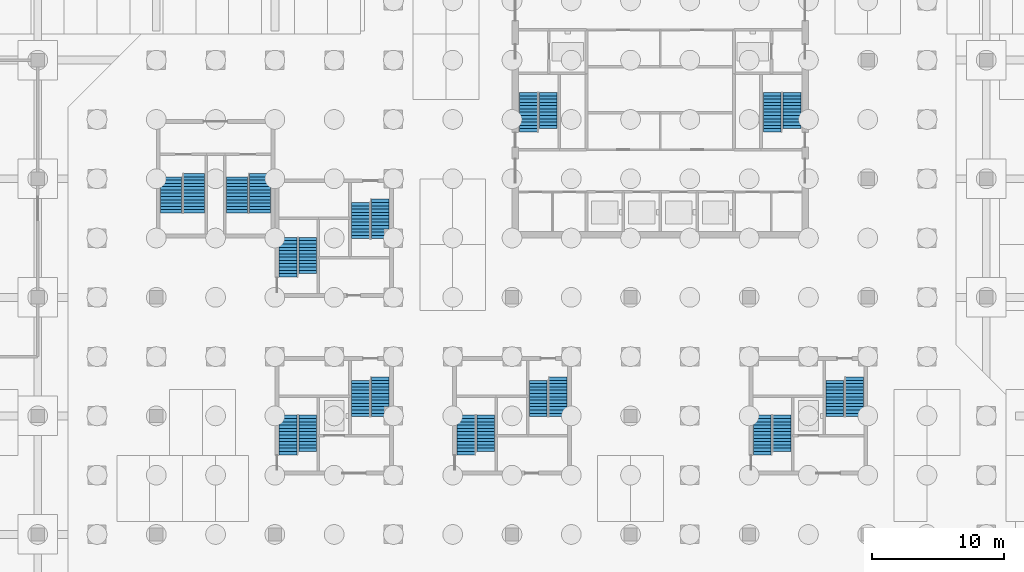
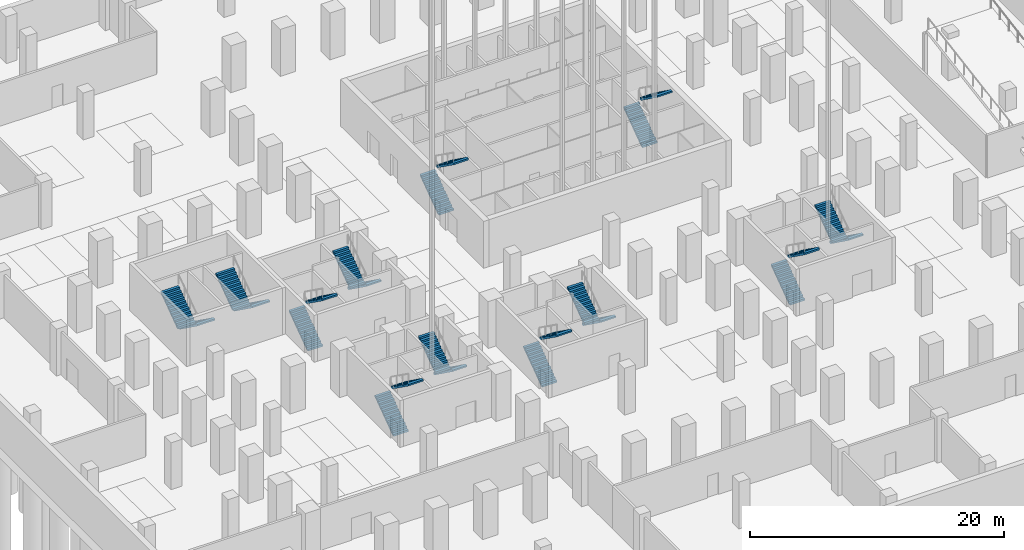
# One storey, part 21 of 37: 24 stair flights, 12 elements without a shape of their own.
"""IFC4 building model written with IfcOpenShell, lengths in metres."""

from ifc_helpers import new_model, si_unit, direction, frame, origin, place, context, subcontext, project, spatial, polyline, outline, extrude, material, type_object, element, aggregate, save


model = new_model("IFC4")

# Units and contexts
model_context = context("Model", 3, precision=1e-05, world=origin(), true_north=direction((0.0, 1.0)))
body_context = subcontext(model_context, "Body", "Model", "MODEL_VIEW")
ifc_project = project(units=[si_unit("LENGTHUNIT", "METRE"), si_unit("AREAUNIT", "SQUARE_METRE"), si_unit("VOLUMEUNIT", "CUBIC_METRE"), si_unit("PLANEANGLEUNIT", "RADIAN"), si_unit("MASSUNIT", "GRAM", prefix="KILO")], contexts=[model_context])

# Site, building, storey
site_placement = place(None, origin())
site = spatial("IfcSite", under=ifc_project, at=site_placement, CompositionType="ELEMENT")
building_placement = place(site_placement, origin())
building = spatial("IfcBuilding", under=site, at=building_placement, Name="Quoin Convention Tower", CompositionType="ELEMENT")
storey_placement = place(building_placement, frame((0.0, 0.0, -9.0)))
storey = spatial("IfcBuildingStorey", under=building, at=storey_placement, Name="B2", CompositionType="ELEMENT", Elevation=-9.0)

# Stair, stair flights
ifc_material = material(Name="Concrete C40", Category="concrete")
stair_type_1 = type_object("IfcStairType", Name="Exit stair two-flight 1350", PredefinedType="HALF_TURN_STAIR", material=ifc_material)
stair_1_placement = place(storey_placement, origin())
stair_1 = element("IfcStair", 1, at=stair_1_placement, inside=storey, type_object=stair_type_1, Name="SD1 B2", PredefinedType="HALF_TURN_STAIR")
stair_flight_type_1 = type_object("IfcStairFlightType", Name="Stair flight 1350", PredefinedType="STRAIGHT", material=ifc_material)
stair_flight_1_placement = place(storey_placement, frame((46.25, 57.550048828125, 0.0), z_axis=(0.0, 0.0, 1.0), x_axis=(0.0, 1.0, 0.0)))
stair_flight_1 = element("IfcStairFlight", 2, at=stair_flight_1_placement, type_object=stair_flight_type_1, Name="ST1 flight 1", NumberOfRisers=13, NumberOfTreads=12, PredefinedType="STRAIGHT", RiserHeight=0.18, TreadLength=0.25, context=body_context, shape_type="SweptSolid", body=[
    extrude(outline(polyline([(0.0, 0.0), (0.0, 0.179931640625), (0.25, 0.179931640625), (0.25, 0.360107421875), (0.5, 0.360107421875), (0.5, 0.5400390625), (0.75, 0.5400390625), (0.75, 0.719970703125), (1.0, 0.719970703125), (1.0, 0.89990234375), (1.25, 0.89990234375), (1.25, 1.080078125), (1.5, 1.080078125), (1.5, 1.260009765625), (1.75, 1.260009765625), (1.75, 1.43994140625), (2.0, 1.43994140625), (2.0, 1.6201171875), (2.25, 1.6201171875), (2.25, 1.800048828125), (2.5, 1.800048828125), (2.5, 1.97998046875), (2.75, 1.97998046875), (2.75, 2.159912109375), (3.0, 2.159912109375), (3.0, 2.340087890625), (3.0, 2.011962890625), (0.20556640625, 0.0), (0.0, 0.0)])), frame((0.0, 0.675048828125, 0.0), z_axis=(0.0, -1.0, 0.0), x_axis=(1.0, 0.0, 0.0)), (0.0, 0.0, 1.0), 1.35009765625),
])
stair_flight_2_placement = place(storey_placement, frame((47.75, 60.550048828125, 2.340087890625), z_axis=(0.0, 0.0, 1.0), x_axis=(0.0, -1.0, 0.0)))
stair_flight_2 = element("IfcStairFlight", 3, at=stair_flight_2_placement, type_object=stair_flight_type_1, Name="ST1 flight 2", NumberOfRisers=12, NumberOfTreads=11, PredefinedType="STRAIGHT", RiserHeight=0.18, TreadLength=0.25, context=body_context, shape_type="SweptSolid", body=[
    extrude(outline(polyline([(0.0, 0.0), (0.0, 0.179931640625), (0.25, 0.179931640625), (0.25, 0.360107421875), (0.5, 0.360107421875), (0.5, 0.5400390625), (0.75, 0.5400390625), (0.75, 0.719970703125), (1.0, 0.719970703125), (1.0, 0.89990234375), (1.25, 0.89990234375), (1.25, 1.080078125), (1.5, 1.080078125), (1.5, 1.260009765625), (1.75, 1.260009765625), (1.75, 1.43994140625), (2.0, 1.43994140625), (2.0, 1.6201171875), (2.25, 1.6201171875), (2.25, 1.800048828125), (2.5, 1.800048828125), (2.5, 1.97998046875), (2.75, 1.97998046875), (2.75, 2.159912109375), (2.75, 1.83203125), (0.20556640625, 0.0), (0.0, 0.0)])), frame((0.0, 0.675048828125, 0.0), z_axis=(0.0, -1.0, 0.0), x_axis=(1.0, 0.0, 0.0)), (0.0, 0.0, 1.0), 1.35009765625),
])
aggregate(stair_1, [stair_flight_1, stair_flight_2])

stair_2_placement = place(storey_placement, origin())
stair_2 = element("IfcStair", 4, at=stair_2_placement, inside=storey, type_object=stair_type_1, Name="SD2 B2", PredefinedType="HALF_TURN_STAIR")
stair_flight_3_placement = place(storey_placement, frame((64.75, 57.550048828125, 0.0), z_axis=(0.0, 0.0, 1.0), x_axis=(0.0, 1.0, 0.0)))
stair_flight_3 = element("IfcStairFlight", 5, at=stair_flight_3_placement, type_object=stair_flight_type_1, Name="ST2 flight 1", NumberOfRisers=13, NumberOfTreads=12, PredefinedType="STRAIGHT", RiserHeight=0.18, TreadLength=0.25, context=body_context, shape_type="SweptSolid", body=[
    extrude(outline(polyline([(0.0, 0.0), (0.0, 0.179931640625), (0.25, 0.179931640625), (0.25, 0.360107421875), (0.5, 0.360107421875), (0.5, 0.5400390625), (0.75, 0.5400390625), (0.75, 0.719970703125), (1.0, 0.719970703125), (1.0, 0.89990234375), (1.25, 0.89990234375), (1.25, 1.080078125), (1.5, 1.080078125), (1.5, 1.260009765625), (1.75, 1.260009765625), (1.75, 1.43994140625), (2.0, 1.43994140625), (2.0, 1.6201171875), (2.25, 1.6201171875), (2.25, 1.800048828125), (2.5, 1.800048828125), (2.5, 1.97998046875), (2.75, 1.97998046875), (2.75, 2.159912109375), (3.0, 2.159912109375), (3.0, 2.340087890625), (3.0, 2.011962890625), (0.20556640625, 0.0), (0.0, 0.0)])), frame((0.0, 0.675048828125, 0.0), z_axis=(0.0, -1.0, 0.0), x_axis=(1.0, 0.0, 0.0)), (0.0, 0.0, 1.0), 1.35009765625),
])
stair_flight_4_placement = place(storey_placement, frame((66.25, 60.550048828125, 2.340087890625), z_axis=(0.0, 0.0, 1.0), x_axis=(0.0, -1.0, 0.0)))
stair_flight_4 = element("IfcStairFlight", 6, at=stair_flight_4_placement, type_object=stair_flight_type_1, Name="ST2 flight 2", NumberOfRisers=12, NumberOfTreads=11, PredefinedType="STRAIGHT", RiserHeight=0.18, TreadLength=0.25, context=body_context, shape_type="SweptSolid", body=[
    extrude(outline(polyline([(0.0, 0.0), (0.0, 0.179931640625), (0.25, 0.179931640625), (0.25, 0.360107421875), (0.5, 0.360107421875), (0.5, 0.5400390625), (0.75, 0.5400390625), (0.75, 0.719970703125), (1.0, 0.719970703125), (1.0, 0.89990234375), (1.25, 0.89990234375), (1.25, 1.080078125), (1.5, 1.080078125), (1.5, 1.260009765625), (1.75, 1.260009765625), (1.75, 1.43994140625), (2.0, 1.43994140625), (2.0, 1.6201171875), (2.25, 1.6201171875), (2.25, 1.800048828125), (2.5, 1.800048828125), (2.5, 1.97998046875), (2.75, 1.97998046875), (2.75, 2.159912109375), (2.75, 1.83203125), (0.20556640625, 0.0), (0.0, 0.0)])), frame((0.0, 0.675048828125, 0.0), z_axis=(0.0, -1.0, 0.0), x_axis=(1.0, 0.0, 0.0)), (0.0, 0.0, 1.0), 1.35009765625),
])
aggregate(stair_2, [stair_flight_3, stair_flight_4])

stair_3_placement = place(storey_placement, origin())
stair_3 = element("IfcStair", 7, at=stair_3_placement, inside=storey, type_object=stair_type_1, Name="SD3 B2", PredefinedType="HALF_TURN_STAIR")
stair_flight_5_placement = place(storey_placement, frame((28.0, 46.550048828125, 0.0), z_axis=(0.0, 0.0, 1.0), x_axis=(0.0, 1.0, 0.0)))
stair_flight_5 = element("IfcStairFlight", 8, at=stair_flight_5_placement, type_object=stair_flight_type_1, Name="ST3 flight 1", NumberOfRisers=13, NumberOfTreads=12, PredefinedType="STRAIGHT", RiserHeight=0.18, TreadLength=0.25, context=body_context, shape_type="SweptSolid", body=[
    extrude(outline(polyline([(0.0, 0.0), (0.0, 0.179931640625), (0.25, 0.179931640625), (0.25, 0.360107421875), (0.5, 0.360107421875), (0.5, 0.5400390625), (0.75, 0.5400390625), (0.75, 0.719970703125), (1.0, 0.719970703125), (1.0, 0.89990234375), (1.25, 0.89990234375), (1.25, 1.080078125), (1.5, 1.080078125), (1.5, 1.260009765625), (1.75, 1.260009765625), (1.75, 1.43994140625), (2.0, 1.43994140625), (2.0, 1.6201171875), (2.25, 1.6201171875), (2.25, 1.800048828125), (2.5, 1.800048828125), (2.5, 1.97998046875), (2.75, 1.97998046875), (2.75, 2.159912109375), (3.0, 2.159912109375), (3.0, 2.340087890625), (3.0, 2.011962890625), (0.20556640625, 0.0), (0.0, 0.0)])), frame((0.0, 0.675048828125, 0.0), z_axis=(0.0, -1.0, 0.0), x_axis=(1.0, 0.0, 0.0)), (0.0, 0.0, 1.0), 1.35009765625),
])
stair_flight_6_placement = place(storey_placement, frame((29.5, 49.550048828125, 2.340087890625), z_axis=(0.0, 0.0, 1.0), x_axis=(0.0, -1.0, 0.0)))
stair_flight_6 = element("IfcStairFlight", 9, at=stair_flight_6_placement, type_object=stair_flight_type_1, Name="ST3 flight 2", NumberOfRisers=12, NumberOfTreads=11, PredefinedType="STRAIGHT", RiserHeight=0.18, TreadLength=0.25, context=body_context, shape_type="SweptSolid", body=[
    extrude(outline(polyline([(0.0, 0.0), (0.0, 0.179931640625), (0.25, 0.179931640625), (0.25, 0.360107421875), (0.5, 0.360107421875), (0.5, 0.5400390625), (0.75, 0.5400390625), (0.75, 0.719970703125), (1.0, 0.719970703125), (1.0, 0.89990234375), (1.25, 0.89990234375), (1.25, 1.080078125), (1.5, 1.080078125), (1.5, 1.260009765625), (1.75, 1.260009765625), (1.75, 1.43994140625), (2.0, 1.43994140625), (2.0, 1.6201171875), (2.25, 1.6201171875), (2.25, 1.800048828125), (2.5, 1.800048828125), (2.5, 1.97998046875), (2.75, 1.97998046875), (2.75, 2.159912109375), (2.75, 1.83203125), (0.20556640625, 0.0), (0.0, 0.0)])), frame((0.0, 0.675048828125, 0.0), z_axis=(0.0, -1.0, 0.0), x_axis=(1.0, 0.0, 0.0)), (0.0, 0.0, 1.0), 1.35009765625),
])
aggregate(stair_3, [stair_flight_5, stair_flight_6])

stair_4_placement = place(storey_placement, origin())
stair_4 = element("IfcStair", 10, at=stair_4_placement, inside=storey, type_object=stair_type_1, Name="SD4 B2", PredefinedType="HALF_TURN_STAIR")
stair_flight_7_placement = place(storey_placement, frame((35.0, 52.449951171875, 0.0), z_axis=(0.0, 0.0, 1.0), x_axis=(0.0, -1.0, 0.0)))
stair_flight_7 = element("IfcStairFlight", 11, at=stair_flight_7_placement, type_object=stair_flight_type_1, Name="ST4 flight 1", NumberOfRisers=13, NumberOfTreads=12, PredefinedType="STRAIGHT", RiserHeight=0.18, TreadLength=0.25, context=body_context, shape_type="SweptSolid", body=[
    extrude(outline(polyline([(0.0, 0.0), (0.0, 0.179931640625), (0.25, 0.179931640625), (0.25, 0.360107421875), (0.5, 0.360107421875), (0.5, 0.5400390625), (0.75, 0.5400390625), (0.75, 0.719970703125), (1.0, 0.719970703125), (1.0, 0.89990234375), (1.25, 0.89990234375), (1.25, 1.080078125), (1.5, 1.080078125), (1.5, 1.260009765625), (1.75, 1.260009765625), (1.75, 1.43994140625), (2.0, 1.43994140625), (2.0, 1.6201171875), (2.25, 1.6201171875), (2.25, 1.800048828125), (2.5, 1.800048828125), (2.5, 1.97998046875), (2.75, 1.97998046875), (2.75, 2.159912109375), (3.0, 2.159912109375), (3.0, 2.340087890625), (3.0, 2.011962890625), (0.20556640625, 0.0), (0.0, 0.0)])), frame((0.0, 0.675048828125, 0.0), z_axis=(0.0, -1.0, 0.0), x_axis=(1.0, 0.0, 0.0)), (0.0, 0.0, 1.0), 1.35009765625),
])
stair_flight_8_placement = place(storey_placement, frame((33.5, 49.449951171875, 2.340087890625), z_axis=(0.0, 0.0, 1.0), x_axis=(0.0, 1.0, 0.0)))
stair_flight_8 = element("IfcStairFlight", 12, at=stair_flight_8_placement, type_object=stair_flight_type_1, Name="ST4 flight 2", NumberOfRisers=12, NumberOfTreads=11, PredefinedType="STRAIGHT", RiserHeight=0.18, TreadLength=0.25, context=body_context, shape_type="SweptSolid", body=[
    extrude(outline(polyline([(0.0, 0.0), (0.0, 0.179931640625), (0.25, 0.179931640625), (0.25, 0.360107421875), (0.5, 0.360107421875), (0.5, 0.5400390625), (0.75, 0.5400390625), (0.75, 0.719970703125), (1.0, 0.719970703125), (1.0, 0.89990234375), (1.25, 0.89990234375), (1.25, 1.080078125), (1.5, 1.080078125), (1.5, 1.260009765625), (1.75, 1.260009765625), (1.75, 1.43994140625), (2.0, 1.43994140625), (2.0, 1.6201171875), (2.25, 1.6201171875), (2.25, 1.800048828125), (2.5, 1.800048828125), (2.5, 1.97998046875), (2.75, 1.97998046875), (2.75, 2.159912109375), (2.75, 1.83203125), (0.20556640625, 0.0), (0.0, 0.0)])), frame((0.0, 0.675048828125, 0.0), z_axis=(0.0, -1.0, 0.0), x_axis=(1.0, 0.0, 0.0)), (0.0, 0.0, 1.0), 1.35009765625),
])
aggregate(stair_4, [stair_flight_7, stair_flight_8])

stair_5_placement = place(storey_placement, origin())
stair_5 = element("IfcStair", 13, at=stair_5_placement, inside=storey, type_object=stair_type_1, Name="SD5 B2", PredefinedType="HALF_TURN_STAIR")
stair_flight_9_placement = place(storey_placement, frame((41.5, 33.050048828125, 0.0), z_axis=(0.0, 0.0, 1.0), x_axis=(0.0, 1.0, 0.0)))
stair_flight_9 = element("IfcStairFlight", 14, at=stair_flight_9_placement, type_object=stair_flight_type_1, Name="ST5 flight 1", NumberOfRisers=13, NumberOfTreads=12, PredefinedType="STRAIGHT", RiserHeight=0.18, TreadLength=0.25, context=body_context, shape_type="SweptSolid", body=[
    extrude(outline(polyline([(0.0, 0.0), (0.0, 0.179931640625), (0.25, 0.179931640625), (0.25, 0.360107421875), (0.5, 0.360107421875), (0.5, 0.5400390625), (0.75, 0.5400390625), (0.75, 0.719970703125), (1.0, 0.719970703125), (1.0, 0.89990234375), (1.25, 0.89990234375), (1.25, 1.080078125), (1.5, 1.080078125), (1.5, 1.260009765625), (1.75, 1.260009765625), (1.75, 1.43994140625), (2.0, 1.43994140625), (2.0, 1.6201171875), (2.25, 1.6201171875), (2.25, 1.800048828125), (2.5, 1.800048828125), (2.5, 1.97998046875), (2.75, 1.97998046875), (2.75, 2.159912109375), (3.0, 2.159912109375), (3.0, 2.340087890625), (3.0, 2.011962890625), (0.20556640625, 0.0), (0.0, 0.0)])), frame((0.0, 0.675048828125, 0.0), z_axis=(0.0, -1.0, 0.0), x_axis=(1.0, 0.0, 0.0)), (0.0, 0.0, 1.0), 1.35009765625),
])
stair_flight_10_placement = place(storey_placement, frame((43.0, 36.050048828125, 2.340087890625), z_axis=(0.0, 0.0, 1.0), x_axis=(0.0, -1.0, 0.0)))
stair_flight_10 = element("IfcStairFlight", 15, at=stair_flight_10_placement, type_object=stair_flight_type_1, Name="ST5 flight 2", NumberOfRisers=12, NumberOfTreads=11, PredefinedType="STRAIGHT", RiserHeight=0.18, TreadLength=0.25, context=body_context, shape_type="SweptSolid", body=[
    extrude(outline(polyline([(0.0, 0.0), (0.0, 0.179931640625), (0.25, 0.179931640625), (0.25, 0.360107421875), (0.5, 0.360107421875), (0.5, 0.5400390625), (0.75, 0.5400390625), (0.75, 0.719970703125), (1.0, 0.719970703125), (1.0, 0.89990234375), (1.25, 0.89990234375), (1.25, 1.080078125), (1.5, 1.080078125), (1.5, 1.260009765625), (1.75, 1.260009765625), (1.75, 1.43994140625), (2.0, 1.43994140625), (2.0, 1.6201171875), (2.25, 1.6201171875), (2.25, 1.800048828125), (2.5, 1.800048828125), (2.5, 1.97998046875), (2.75, 1.97998046875), (2.75, 2.159912109375), (2.75, 1.83203125), (0.20556640625, 0.0), (0.0, 0.0)])), frame((0.0, 0.675048828125, 0.0), z_axis=(0.0, -1.0, 0.0), x_axis=(1.0, 0.0, 0.0)), (0.0, 0.0, 1.0), 1.35009765625),
])
aggregate(stair_5, [stair_flight_9, stair_flight_10])

stair_6_placement = place(storey_placement, origin())
stair_6 = element("IfcStair", 16, at=stair_6_placement, inside=storey, type_object=stair_type_1, Name="SD6 B2", PredefinedType="HALF_TURN_STAIR")
stair_flight_11_placement = place(storey_placement, frame((48.5, 38.949951171875, 0.0), z_axis=(0.0, 0.0, 1.0), x_axis=(0.0, -1.0, 0.0)))
stair_flight_11 = element("IfcStairFlight", 17, at=stair_flight_11_placement, type_object=stair_flight_type_1, Name="ST6 flight 1", NumberOfRisers=13, NumberOfTreads=12, PredefinedType="STRAIGHT", RiserHeight=0.18, TreadLength=0.25, context=body_context, shape_type="SweptSolid", body=[
    extrude(outline(polyline([(0.0, 0.0), (0.0, 0.179931640625), (0.25, 0.179931640625), (0.25, 0.360107421875), (0.5, 0.360107421875), (0.5, 0.5400390625), (0.75, 0.5400390625), (0.75, 0.719970703125), (1.0, 0.719970703125), (1.0, 0.89990234375), (1.25, 0.89990234375), (1.25, 1.080078125), (1.5, 1.080078125), (1.5, 1.260009765625), (1.75, 1.260009765625), (1.75, 1.43994140625), (2.0, 1.43994140625), (2.0, 1.6201171875), (2.25, 1.6201171875), (2.25, 1.800048828125), (2.5, 1.800048828125), (2.5, 1.97998046875), (2.75, 1.97998046875), (2.75, 2.159912109375), (3.0, 2.159912109375), (3.0, 2.340087890625), (3.0, 2.011962890625), (0.20556640625, 0.0), (0.0, 0.0)])), frame((0.0, 0.675048828125, 0.0), z_axis=(0.0, -1.0, 0.0), x_axis=(1.0, 0.0, 0.0)), (0.0, 0.0, 1.0), 1.35009765625),
])
stair_flight_12_placement = place(storey_placement, frame((47.0, 35.949951171875, 2.340087890625), z_axis=(0.0, 0.0, 1.0), x_axis=(0.0, 1.0, 0.0)))
stair_flight_12 = element("IfcStairFlight", 18, at=stair_flight_12_placement, type_object=stair_flight_type_1, Name="ST6 flight 2", NumberOfRisers=12, NumberOfTreads=11, PredefinedType="STRAIGHT", RiserHeight=0.18, TreadLength=0.25, context=body_context, shape_type="SweptSolid", body=[
    extrude(outline(polyline([(0.0, 0.0), (0.0, 0.179931640625), (0.25, 0.179931640625), (0.25, 0.360107421875), (0.5, 0.360107421875), (0.5, 0.5400390625), (0.75, 0.5400390625), (0.75, 0.719970703125), (1.0, 0.719970703125), (1.0, 0.89990234375), (1.25, 0.89990234375), (1.25, 1.080078125), (1.5, 1.080078125), (1.5, 1.260009765625), (1.75, 1.260009765625), (1.75, 1.43994140625), (2.0, 1.43994140625), (2.0, 1.6201171875), (2.25, 1.6201171875), (2.25, 1.800048828125), (2.5, 1.800048828125), (2.5, 1.97998046875), (2.75, 1.97998046875), (2.75, 2.159912109375), (2.75, 1.83203125), (0.20556640625, 0.0), (0.0, 0.0)])), frame((0.0, 0.675048828125, 0.0), z_axis=(0.0, -1.0, 0.0), x_axis=(1.0, 0.0, 0.0)), (0.0, 0.0, 1.0), 1.35009765625),
])
aggregate(stair_6, [stair_flight_11, stair_flight_12])

stair_7_placement = place(storey_placement, origin())
stair_7 = element("IfcStair", 19, at=stair_7_placement, inside=storey, type_object=stair_type_1, Name="SD7 B2", PredefinedType="HALF_TURN_STAIR")
stair_flight_13_placement = place(storey_placement, frame((28.0, 33.050048828125, 0.0), z_axis=(0.0, 0.0, 1.0), x_axis=(0.0, 1.0, 0.0)))
stair_flight_13 = element("IfcStairFlight", 20, at=stair_flight_13_placement, type_object=stair_flight_type_1, Name="ST7 flight 1", NumberOfRisers=13, NumberOfTreads=12, PredefinedType="STRAIGHT", RiserHeight=0.18, TreadLength=0.25, context=body_context, shape_type="SweptSolid", body=[
    extrude(outline(polyline([(0.0, 0.0), (0.0, 0.179931640625), (0.25, 0.179931640625), (0.25, 0.360107421875), (0.5, 0.360107421875), (0.5, 0.5400390625), (0.75, 0.5400390625), (0.75, 0.719970703125), (1.0, 0.719970703125), (1.0, 0.89990234375), (1.25, 0.89990234375), (1.25, 1.080078125), (1.5, 1.080078125), (1.5, 1.260009765625), (1.75, 1.260009765625), (1.75, 1.43994140625), (2.0, 1.43994140625), (2.0, 1.6201171875), (2.25, 1.6201171875), (2.25, 1.800048828125), (2.5, 1.800048828125), (2.5, 1.97998046875), (2.75, 1.97998046875), (2.75, 2.159912109375), (3.0, 2.159912109375), (3.0, 2.340087890625), (3.0, 2.011962890625), (0.20556640625, 0.0), (0.0, 0.0)])), frame((0.0, 0.675048828125, 0.0), z_axis=(0.0, -1.0, 0.0), x_axis=(1.0, 0.0, 0.0)), (0.0, 0.0, 1.0), 1.35009765625),
])
stair_flight_14_placement = place(storey_placement, frame((29.5, 36.050048828125, 2.340087890625), z_axis=(0.0, 0.0, 1.0), x_axis=(0.0, -1.0, 0.0)))
stair_flight_14 = element("IfcStairFlight", 21, at=stair_flight_14_placement, type_object=stair_flight_type_1, Name="ST7 flight 2", NumberOfRisers=12, NumberOfTreads=11, PredefinedType="STRAIGHT", RiserHeight=0.18, TreadLength=0.25, context=body_context, shape_type="SweptSolid", body=[
    extrude(outline(polyline([(0.0, 0.0), (0.0, 0.179931640625), (0.25, 0.179931640625), (0.25, 0.360107421875), (0.5, 0.360107421875), (0.5, 0.5400390625), (0.75, 0.5400390625), (0.75, 0.719970703125), (1.0, 0.719970703125), (1.0, 0.89990234375), (1.25, 0.89990234375), (1.25, 1.080078125), (1.5, 1.080078125), (1.5, 1.260009765625), (1.75, 1.260009765625), (1.75, 1.43994140625), (2.0, 1.43994140625), (2.0, 1.6201171875), (2.25, 1.6201171875), (2.25, 1.800048828125), (2.5, 1.800048828125), (2.5, 1.97998046875), (2.75, 1.97998046875), (2.75, 2.159912109375), (2.75, 1.83203125), (0.20556640625, 0.0), (0.0, 0.0)])), frame((0.0, 0.675048828125, 0.0), z_axis=(0.0, -1.0, 0.0), x_axis=(1.0, 0.0, 0.0)), (0.0, 0.0, 1.0), 1.35009765625),
])
aggregate(stair_7, [stair_flight_13, stair_flight_14])

stair_8_placement = place(storey_placement, origin())
stair_8 = element("IfcStair", 22, at=stair_8_placement, inside=storey, type_object=stair_type_1, Name="SD8 B2", PredefinedType="HALF_TURN_STAIR")
stair_flight_15_placement = place(storey_placement, frame((35.0, 38.949951171875, 0.0), z_axis=(0.0, 0.0, 1.0), x_axis=(0.0, -1.0, 0.0)))
stair_flight_15 = element("IfcStairFlight", 23, at=stair_flight_15_placement, type_object=stair_flight_type_1, Name="ST8 flight 1", NumberOfRisers=13, NumberOfTreads=12, PredefinedType="STRAIGHT", RiserHeight=0.18, TreadLength=0.25, context=body_context, shape_type="SweptSolid", body=[
    extrude(outline(polyline([(0.0, 0.0), (0.0, 0.179931640625), (0.25, 0.179931640625), (0.25, 0.360107421875), (0.5, 0.360107421875), (0.5, 0.5400390625), (0.75, 0.5400390625), (0.75, 0.719970703125), (1.0, 0.719970703125), (1.0, 0.89990234375), (1.25, 0.89990234375), (1.25, 1.080078125), (1.5, 1.080078125), (1.5, 1.260009765625), (1.75, 1.260009765625), (1.75, 1.43994140625), (2.0, 1.43994140625), (2.0, 1.6201171875), (2.25, 1.6201171875), (2.25, 1.800048828125), (2.5, 1.800048828125), (2.5, 1.97998046875), (2.75, 1.97998046875), (2.75, 2.159912109375), (3.0, 2.159912109375), (3.0, 2.340087890625), (3.0, 2.011962890625), (0.20556640625, 0.0), (0.0, 0.0)])), frame((0.0, 0.675048828125, 0.0), z_axis=(0.0, -1.0, 0.0), x_axis=(1.0, 0.0, 0.0)), (0.0, 0.0, 1.0), 1.35009765625),
])
stair_flight_16_placement = place(storey_placement, frame((33.5, 35.949951171875, 2.340087890625), z_axis=(0.0, 0.0, 1.0), x_axis=(0.0, 1.0, 0.0)))
stair_flight_16 = element("IfcStairFlight", 24, at=stair_flight_16_placement, type_object=stair_flight_type_1, Name="ST8 flight 2", NumberOfRisers=12, NumberOfTreads=11, PredefinedType="STRAIGHT", RiserHeight=0.18, TreadLength=0.25, context=body_context, shape_type="SweptSolid", body=[
    extrude(outline(polyline([(0.0, 0.0), (0.0, 0.179931640625), (0.25, 0.179931640625), (0.25, 0.360107421875), (0.5, 0.360107421875), (0.5, 0.5400390625), (0.75, 0.5400390625), (0.75, 0.719970703125), (1.0, 0.719970703125), (1.0, 0.89990234375), (1.25, 0.89990234375), (1.25, 1.080078125), (1.5, 1.080078125), (1.5, 1.260009765625), (1.75, 1.260009765625), (1.75, 1.43994140625), (2.0, 1.43994140625), (2.0, 1.6201171875), (2.25, 1.6201171875), (2.25, 1.800048828125), (2.5, 1.800048828125), (2.5, 1.97998046875), (2.75, 1.97998046875), (2.75, 2.159912109375), (2.75, 1.83203125), (0.20556640625, 0.0), (0.0, 0.0)])), frame((0.0, 0.675048828125, 0.0), z_axis=(0.0, -1.0, 0.0), x_axis=(1.0, 0.0, 0.0)), (0.0, 0.0, 1.0), 1.35009765625),
])
aggregate(stair_8, [stair_flight_15, stair_flight_16])

stair_9_placement = place(storey_placement, origin())
stair_9 = element("IfcStair", 25, at=stair_9_placement, inside=storey, type_object=stair_type_1, Name="SD9 B2", PredefinedType="HALF_TURN_STAIR")
stair_flight_17_placement = place(storey_placement, frame((64.0, 33.050048828125, 0.0), z_axis=(0.0, 0.0, 1.0), x_axis=(0.0, 1.0, 0.0)))
stair_flight_17 = element("IfcStairFlight", 26, at=stair_flight_17_placement, type_object=stair_flight_type_1, Name="ST9 flight 1", NumberOfRisers=13, NumberOfTreads=12, PredefinedType="STRAIGHT", RiserHeight=0.18, TreadLength=0.25, context=body_context, shape_type="SweptSolid", body=[
    extrude(outline(polyline([(0.0, 0.0), (0.0, 0.179931640625), (0.25, 0.179931640625), (0.25, 0.360107421875), (0.5, 0.360107421875), (0.5, 0.5400390625), (0.75, 0.5400390625), (0.75, 0.719970703125), (1.0, 0.719970703125), (1.0, 0.89990234375), (1.25, 0.89990234375), (1.25, 1.080078125), (1.5, 1.080078125), (1.5, 1.260009765625), (1.75, 1.260009765625), (1.75, 1.43994140625), (2.0, 1.43994140625), (2.0, 1.6201171875), (2.25, 1.6201171875), (2.25, 1.800048828125), (2.5, 1.800048828125), (2.5, 1.97998046875), (2.75, 1.97998046875), (2.75, 2.159912109375), (3.0, 2.159912109375), (3.0, 2.340087890625), (3.0, 2.011962890625), (0.20556640625, 0.0), (0.0, 0.0)])), frame((0.0, 0.675048828125, 0.0), z_axis=(0.0, -1.0, 0.0), x_axis=(1.0, 0.0, 0.0)), (0.0, 0.0, 1.0), 1.35009765625),
])
stair_flight_18_placement = place(storey_placement, frame((65.5, 36.050048828125, 2.340087890625), z_axis=(0.0, 0.0, 1.0), x_axis=(0.0, -1.0, 0.0)))
stair_flight_18 = element("IfcStairFlight", 27, at=stair_flight_18_placement, type_object=stair_flight_type_1, Name="ST9 flight 2", NumberOfRisers=12, NumberOfTreads=11, PredefinedType="STRAIGHT", RiserHeight=0.18, TreadLength=0.25, context=body_context, shape_type="SweptSolid", body=[
    extrude(outline(polyline([(0.0, 0.0), (0.0, 0.179931640625), (0.25, 0.179931640625), (0.25, 0.360107421875), (0.5, 0.360107421875), (0.5, 0.5400390625), (0.75, 0.5400390625), (0.75, 0.719970703125), (1.0, 0.719970703125), (1.0, 0.89990234375), (1.25, 0.89990234375), (1.25, 1.080078125), (1.5, 1.080078125), (1.5, 1.260009765625), (1.75, 1.260009765625), (1.75, 1.43994140625), (2.0, 1.43994140625), (2.0, 1.6201171875), (2.25, 1.6201171875), (2.25, 1.800048828125), (2.5, 1.800048828125), (2.5, 1.97998046875), (2.75, 1.97998046875), (2.75, 2.159912109375), (2.75, 1.83203125), (0.20556640625, 0.0), (0.0, 0.0)])), frame((0.0, 0.675048828125, 0.0), z_axis=(0.0, -1.0, 0.0), x_axis=(1.0, 0.0, 0.0)), (0.0, 0.0, 1.0), 1.35009765625),
])
aggregate(stair_9, [stair_flight_17, stair_flight_18])

stair_10_placement = place(storey_placement, origin())
stair_10 = element("IfcStair", 28, at=stair_10_placement, inside=storey, type_object=stair_type_1, Name="SD10 B2", PredefinedType="HALF_TURN_STAIR")
stair_flight_19_placement = place(storey_placement, frame((71.0, 38.949951171875, 0.0), z_axis=(0.0, 0.0, 1.0), x_axis=(0.0, -1.0, 0.0)))
stair_flight_19 = element("IfcStairFlight", 29, at=stair_flight_19_placement, type_object=stair_flight_type_1, Name="ST10 flight 1", NumberOfRisers=13, NumberOfTreads=12, PredefinedType="STRAIGHT", RiserHeight=0.18, TreadLength=0.25, context=body_context, shape_type="SweptSolid", body=[
    extrude(outline(polyline([(0.0, 0.0), (0.0, 0.179931640625), (0.25, 0.179931640625), (0.25, 0.360107421875), (0.5, 0.360107421875), (0.5, 0.5400390625), (0.75, 0.5400390625), (0.75, 0.719970703125), (1.0, 0.719970703125), (1.0, 0.89990234375), (1.25, 0.89990234375), (1.25, 1.080078125), (1.5, 1.080078125), (1.5, 1.260009765625), (1.75, 1.260009765625), (1.75, 1.43994140625), (2.0, 1.43994140625), (2.0, 1.6201171875), (2.25, 1.6201171875), (2.25, 1.800048828125), (2.5, 1.800048828125), (2.5, 1.97998046875), (2.75, 1.97998046875), (2.75, 2.159912109375), (3.0, 2.159912109375), (3.0, 2.340087890625), (3.0, 2.011962890625), (0.20556640625, 0.0), (0.0, 0.0)])), frame((0.0, 0.675048828125, 0.0), z_axis=(0.0, -1.0, 0.0), x_axis=(1.0, 0.0, 0.0)), (0.0, 0.0, 1.0), 1.35009765625),
])
stair_flight_20_placement = place(storey_placement, frame((69.5, 35.949951171875, 2.340087890625), z_axis=(0.0, 0.0, 1.0), x_axis=(0.0, 1.0, 0.0)))
stair_flight_20 = element("IfcStairFlight", 30, at=stair_flight_20_placement, type_object=stair_flight_type_1, Name="ST10 flight 2", NumberOfRisers=12, NumberOfTreads=11, PredefinedType="STRAIGHT", RiserHeight=0.18, TreadLength=0.25, context=body_context, shape_type="SweptSolid", body=[
    extrude(outline(polyline([(0.0, 0.0), (0.0, 0.179931640625), (0.25, 0.179931640625), (0.25, 0.360107421875), (0.5, 0.360107421875), (0.5, 0.5400390625), (0.75, 0.5400390625), (0.75, 0.719970703125), (1.0, 0.719970703125), (1.0, 0.89990234375), (1.25, 0.89990234375), (1.25, 1.080078125), (1.5, 1.080078125), (1.5, 1.260009765625), (1.75, 1.260009765625), (1.75, 1.43994140625), (2.0, 1.43994140625), (2.0, 1.6201171875), (2.25, 1.6201171875), (2.25, 1.800048828125), (2.5, 1.800048828125), (2.5, 1.97998046875), (2.75, 1.97998046875), (2.75, 2.159912109375), (2.75, 1.83203125), (0.20556640625, 0.0), (0.0, 0.0)])), frame((0.0, 0.675048828125, 0.0), z_axis=(0.0, -1.0, 0.0), x_axis=(1.0, 0.0, 0.0)), (0.0, 0.0, 1.0), 1.35009765625),
])
aggregate(stair_10, [stair_flight_19, stair_flight_20])

stair_type_2 = type_object("IfcStairType", Name="Exit stair two-flight 1600", PredefinedType="HALF_TURN_STAIR", material=ifc_material)
stair_11_placement = place(storey_placement, origin())
stair_11 = element("IfcStair", 31, at=stair_11_placement, inside=storey, type_object=stair_type_2, Name="SD11 B2", PredefinedType="HALF_TURN_STAIR")
stair_flight_type_2 = type_object("IfcStairFlightType", Name="Stair flight 1600", PredefinedType="STRAIGHT", material=ifc_material)
stair_flight_21_placement = place(storey_placement, frame((20.875, 54.39990234375, 0.0), z_axis=(0.0, 0.0, 1.0), x_axis=(0.0, -1.0, 0.0)))
stair_flight_21 = element("IfcStairFlight", 32, at=stair_flight_21_placement, type_object=stair_flight_type_2, Name="ST11 flight 1", NumberOfRisers=13, NumberOfTreads=12, PredefinedType="STRAIGHT", RiserHeight=0.18, TreadLength=0.25, context=body_context, shape_type="SweptSolid", body=[
    extrude(outline(polyline([(0.0, 0.0), (0.0, 0.179931640625), (0.25, 0.179931640625), (0.25, 0.360107421875), (0.5, 0.360107421875), (0.5, 0.5400390625), (0.75, 0.5400390625), (0.75, 0.719970703125), (1.0, 0.719970703125), (1.0, 0.89990234375), (1.25, 0.89990234375), (1.25, 1.080078125), (1.5, 1.080078125), (1.5, 1.260009765625), (1.75, 1.260009765625), (1.75, 1.43994140625), (2.0, 1.43994140625), (2.0, 1.6201171875), (2.25, 1.6201171875), (2.25, 1.800048828125), (2.5, 1.800048828125), (2.5, 1.97998046875), (2.75, 1.97998046875), (2.75, 2.159912109375), (3.0, 2.159912109375), (3.0, 2.340087890625), (3.0, 2.011962890625), (0.20556640625, 0.0), (0.0, 0.0)])), frame((0.0, 0.800048828125, 0.0), z_axis=(0.0, -1.0, 0.0), x_axis=(1.0, 0.0, 0.0)), (0.0, 0.0, 1.0), 1.60009765625),
])
stair_flight_22_placement = place(storey_placement, frame((19.125, 51.39990234375, 2.340087890625), z_axis=(0.0, 0.0, 1.0), x_axis=(0.0, 1.0, 0.0)))
stair_flight_22 = element("IfcStairFlight", 33, at=stair_flight_22_placement, type_object=stair_flight_type_2, Name="ST11 flight 2", NumberOfRisers=12, NumberOfTreads=11, PredefinedType="STRAIGHT", RiserHeight=0.18, TreadLength=0.25, context=body_context, shape_type="SweptSolid", body=[
    extrude(outline(polyline([(0.0, 0.0), (0.0, 0.179931640625), (0.25, 0.179931640625), (0.25, 0.360107421875), (0.5, 0.360107421875), (0.5, 0.5400390625), (0.75, 0.5400390625), (0.75, 0.719970703125), (1.0, 0.719970703125), (1.0, 0.89990234375), (1.25, 0.89990234375), (1.25, 1.080078125), (1.5, 1.080078125), (1.5, 1.260009765625), (1.75, 1.260009765625), (1.75, 1.43994140625), (2.0, 1.43994140625), (2.0, 1.6201171875), (2.25, 1.6201171875), (2.25, 1.800048828125), (2.5, 1.800048828125), (2.5, 1.97998046875), (2.75, 1.97998046875), (2.75, 2.159912109375), (2.75, 1.83203125), (0.20556640625, 0.0), (0.0, 0.0)])), frame((0.0, 0.800048828125, 0.0), z_axis=(0.0, -1.0, 0.0), x_axis=(1.0, 0.0, 0.0)), (0.0, 0.0, 1.0), 1.60009765625),
])
aggregate(stair_11, [stair_flight_21, stair_flight_22])

stair_12_placement = place(storey_placement, origin())
stair_12 = element("IfcStair", 34, at=stair_12_placement, inside=storey, type_object=stair_type_2, Name="SD12 B2", PredefinedType="HALF_TURN_STAIR")
stair_flight_23_placement = place(storey_placement, frame((25.875, 54.39990234375, 0.0), z_axis=(0.0, 0.0, 1.0), x_axis=(0.0, -1.0, 0.0)))
stair_flight_23 = element("IfcStairFlight", 35, at=stair_flight_23_placement, type_object=stair_flight_type_2, Name="ST12 flight 1", NumberOfRisers=13, NumberOfTreads=12, PredefinedType="STRAIGHT", RiserHeight=0.18, TreadLength=0.25, context=body_context, shape_type="SweptSolid", body=[
    extrude(outline(polyline([(0.0, 0.0), (0.0, 0.179931640625), (0.25, 0.179931640625), (0.25, 0.360107421875), (0.5, 0.360107421875), (0.5, 0.5400390625), (0.75, 0.5400390625), (0.75, 0.719970703125), (1.0, 0.719970703125), (1.0, 0.89990234375), (1.25, 0.89990234375), (1.25, 1.080078125), (1.5, 1.080078125), (1.5, 1.260009765625), (1.75, 1.260009765625), (1.75, 1.43994140625), (2.0, 1.43994140625), (2.0, 1.6201171875), (2.25, 1.6201171875), (2.25, 1.800048828125), (2.5, 1.800048828125), (2.5, 1.97998046875), (2.75, 1.97998046875), (2.75, 2.159912109375), (3.0, 2.159912109375), (3.0, 2.340087890625), (3.0, 2.011962890625), (0.20556640625, 0.0), (0.0, 0.0)])), frame((0.0, 0.800048828125, 0.0), z_axis=(0.0, -1.0, 0.0), x_axis=(1.0, 0.0, 0.0)), (0.0, 0.0, 1.0), 1.60009765625),
])
stair_flight_24_placement = place(storey_placement, frame((24.125, 51.39990234375, 2.340087890625), z_axis=(0.0, 0.0, 1.0), x_axis=(0.0, 1.0, 0.0)))
stair_flight_24 = element("IfcStairFlight", 36, at=stair_flight_24_placement, type_object=stair_flight_type_2, Name="ST12 flight 2", NumberOfRisers=12, NumberOfTreads=11, PredefinedType="STRAIGHT", RiserHeight=0.18, TreadLength=0.25, context=body_context, shape_type="SweptSolid", body=[
    extrude(outline(polyline([(0.0, 0.0), (0.0, 0.179931640625), (0.25, 0.179931640625), (0.25, 0.360107421875), (0.5, 0.360107421875), (0.5, 0.5400390625), (0.75, 0.5400390625), (0.75, 0.719970703125), (1.0, 0.719970703125), (1.0, 0.89990234375), (1.25, 0.89990234375), (1.25, 1.080078125), (1.5, 1.080078125), (1.5, 1.260009765625), (1.75, 1.260009765625), (1.75, 1.43994140625), (2.0, 1.43994140625), (2.0, 1.6201171875), (2.25, 1.6201171875), (2.25, 1.800048828125), (2.5, 1.800048828125), (2.5, 1.97998046875), (2.75, 1.97998046875), (2.75, 2.159912109375), (2.75, 1.83203125), (0.20556640625, 0.0), (0.0, 0.0)])), frame((0.0, 0.800048828125, 0.0), z_axis=(0.0, -1.0, 0.0), x_axis=(1.0, 0.0, 0.0)), (0.0, 0.0, 1.0), 1.60009765625),
])
aggregate(stair_12, [stair_flight_23, stair_flight_24])

save(model, "model.ifc")
